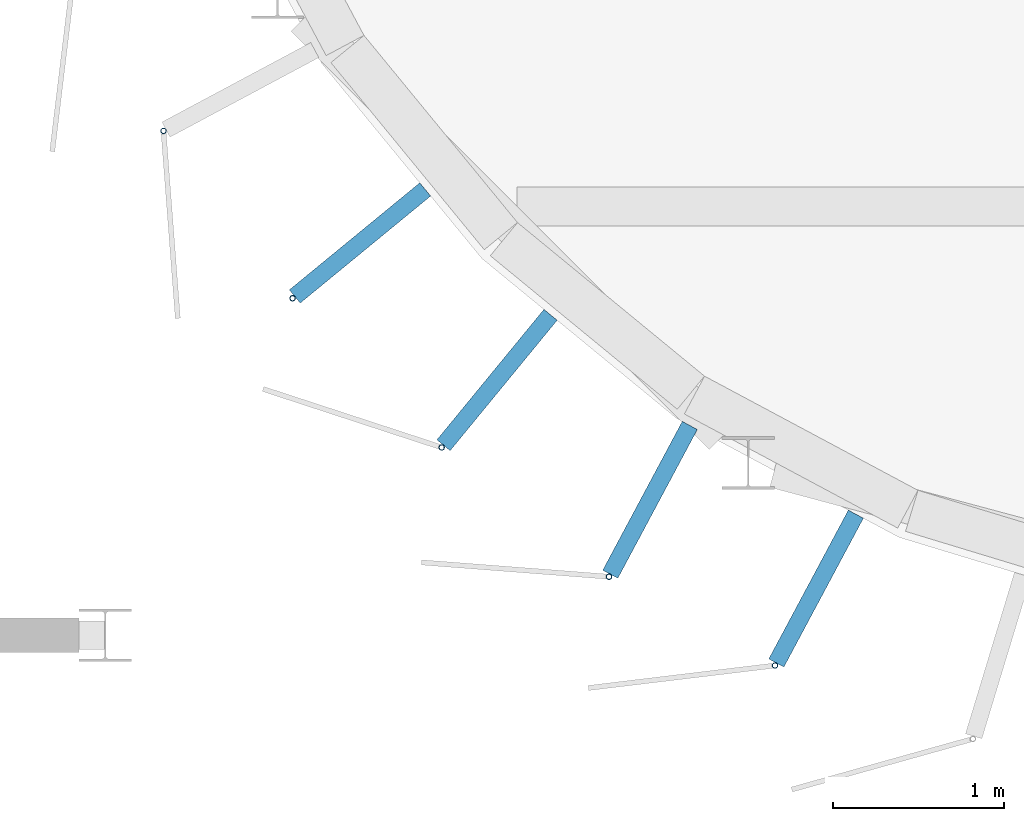
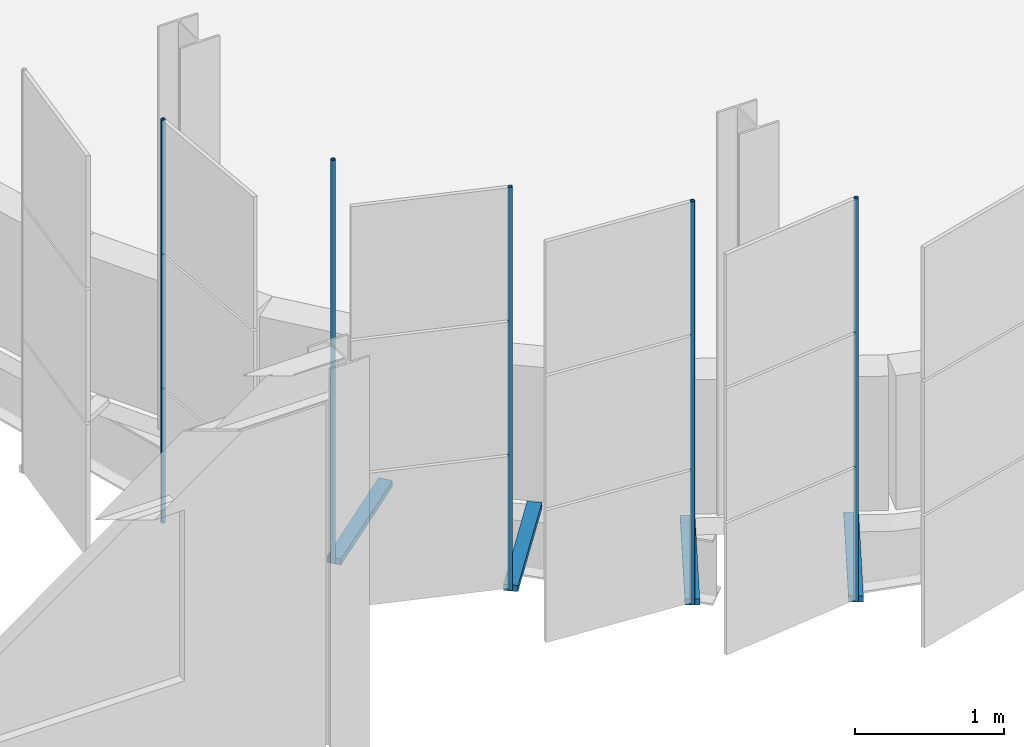
# One storey, part 103 of 214: 9 discrete accessories.
"""IFC4 building model written with IfcOpenShell, lengths in metres."""

from ifc_helpers import new_model, si_unit, direction, frame, origin, origin_2d, place, context, subcontext, project, spatial, rectangle, hollow_circle, extrude, material, material_profile, profile_set, type_object, element, save


model = new_model("IFC4")

# Units and contexts
model_context = context("Model", 3, precision=1e-05, world=origin(), true_north=direction((0.0, 1.0)))
body_context = subcontext(model_context, "Body", "Model", "MODEL_VIEW")
ifc_project = project(units=[si_unit("LENGTHUNIT", "METRE"), si_unit("AREAUNIT", "SQUARE_METRE"), si_unit("VOLUMEUNIT", "CUBIC_METRE"), si_unit("PLANEANGLEUNIT", "RADIAN"), si_unit("MASSUNIT", "GRAM", prefix="KILO")], contexts=[model_context])

# Site, building, storey
site_placement = place(None, origin())
site = spatial("IfcSite", under=ifc_project, at=site_placement, CompositionType="ELEMENT")
building_placement = place(site_placement, origin())
building = spatial("IfcBuilding", under=site, at=building_placement, Name="Parallax Yard Mobility Hub", CompositionType="ELEMENT")
storey_placement = place(building_placement, frame((0.0, 0.0, 3.300048828125)))
storey = spatial("IfcBuildingStorey", under=building, at=storey_placement, Name="L01", CompositionType="ELEMENT", Elevation=3.300048828125)

# Discrete accessories
ifc_material_1 = material(Name="Steel ASTM A36, hot-dip galvanised", Category="steel")
discrete_accessory_type_1 = type_object("IfcDiscreteAccessoryType", Name="Hinge bracket plate 100x50", PredefinedType="BRACKET", material=ifc_material_1)
for number, where, z_axis, x_axis, name in (
    (1, (196.485595703125, 24.7880859375, -0.02490234375), (0.0, 0.0, 1.0), (-0.773010453363, -0.634393284164, 0.0), "Hinge bracket plate bay 30.6 level L01"),
    (2, (197.284912109375, 23.988525390625, -0.02490234375), (0.0, 0.0, 1.0), (-0.634393284164, -0.773010453363, 0.0), "Hinge bracket plate bay 30.7 level L01"),
    (3, (198.177490234375, 23.289794921875, -0.02490234375), (0.0, 0.0, 1.0), (-0.471396736826, -0.881921264348, 0.0), "Hinge bracket plate bay 30.8 level L01"),
    (4, (199.14599609375, 22.772216796875, -0.02490234375), (0.0, 0.0, 1.0), (-0.471396736826, -0.881921264348, 0.0), "Hinge bracket plate bay 30.9 level L01"),
):
    element("IfcDiscreteAccessory", number, at=place(storey_placement, frame(where, z_axis=z_axis, x_axis=x_axis)), inside=storey, type_object=discrete_accessory_type_1, Name=name, PredefinedType="BRACKET", context=body_context, shape_type="SweptSolid", body=[
        extrude(rectangle(XDim=0.984130859375, YDim=0.10009765625, at=origin_2d()), origin(), (0.0, 0.0, 1.0), 0.050048828125),
    ])
ifc_material_2 = material(Name="Steel ASTM A500 Gr C, hot-dip galvanised", Category="steel")
ifc_material_profile = material_profile(ifc_material_2, hollow_circle(Radius=0.016845703125, WallThickness=0.003173828125, at=origin_2d()), Name="CHS 33.7x3.2")
ifc_profile_set = profile_set([ifc_material_profile], Name="Steel ASTM A500 Gr C, hot-dip galvanised")
discrete_accessory_type_2 = type_object("IfcDiscreteAccessoryType", Name="Hinge post CHS 33.7x3.2", PredefinedType="BRACKET", material=ifc_profile_set)
for number, where, z_axis, x_axis, name in (
    (5, (195.33935546875, 25.441650390625, 0.0), (0.0, 0.0, 1.0), (1.0, 0.0, 0.0), "Hinge post bay 30.5 level L01"),
    (6, (196.0927734375, 24.465576171875, 0.0), (0.0, 0.0, 1.0), (1.0, 0.0, 0.0), "Hinge post bay 30.6 level L01"),
    (7, (196.962158203125, 23.595458984375, 0.0), (0.0, 0.0, 1.0), (1.0, 0.0, 0.0), "Hinge post bay 30.7 level L01"),
    (8, (197.937744140625, 22.84130859375, 0.0), (0.0, 0.0, 1.0), (1.0, 0.0, 0.0), "Hinge post bay 30.8 level L01"),
    (9, (198.90625, 22.32373046875, 0.0), (0.0, 0.0, 1.0), (1.0, 0.0, 0.0), "Hinge post bay 30.9 level L01"),
):
    element("IfcDiscreteAccessory", number, at=place(storey_placement, frame(where, z_axis=z_axis, x_axis=x_axis)), inside=storey, type_object=discrete_accessory_type_2, Name=name, PredefinedType="BRACKET", context=body_context, shape_type="SweptSolid", body=[
        extrude(hollow_circle(Radius=0.016845703125, WallThickness=0.003173828125, at=origin_2d()), origin(), (0.0, 0.0, 1.0), 3.300048828125),
    ])

save(model, "model.ifc")
